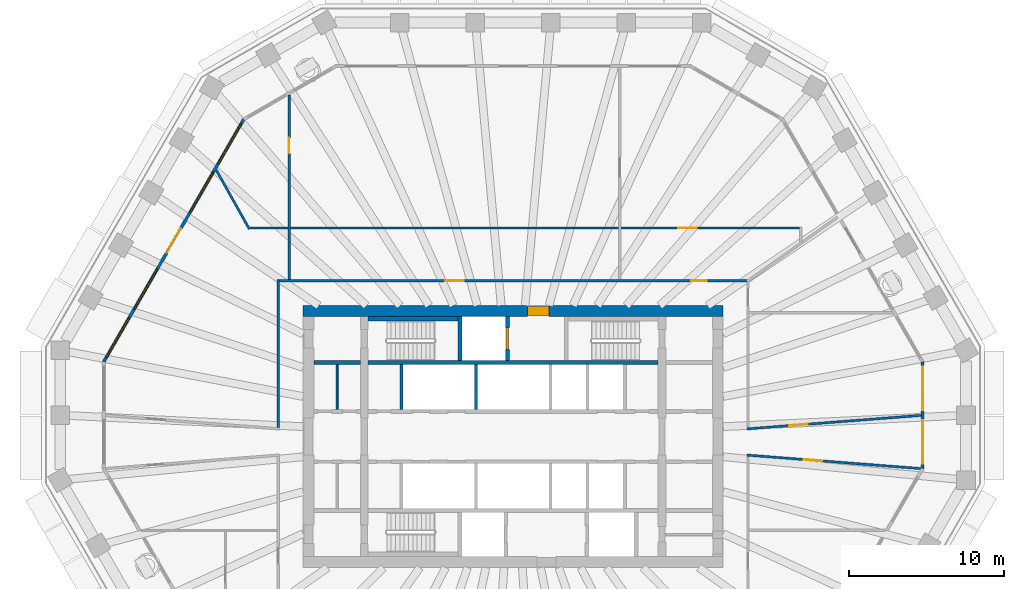
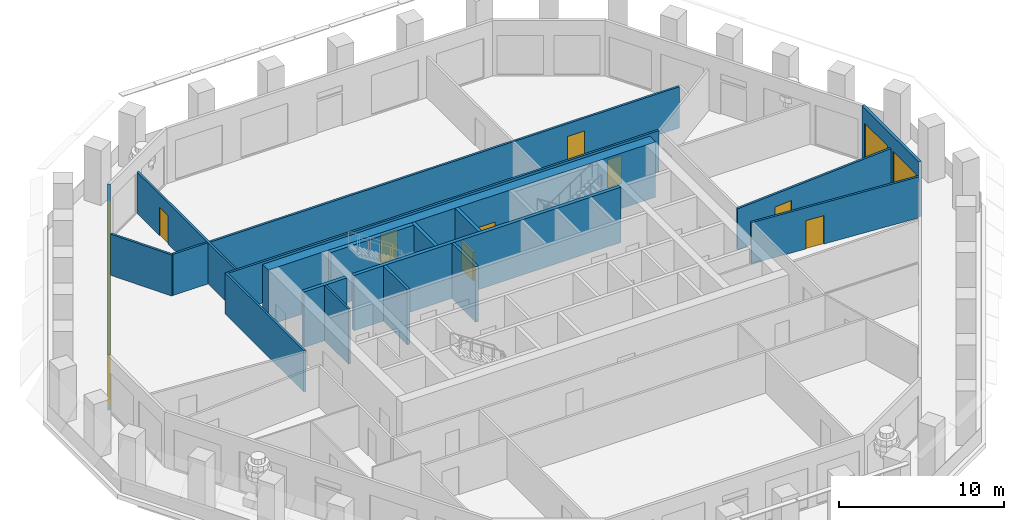
# One storey, part 6 of 12: 18 walls, 9 doors, 7 windows, 16 openings.
"""IFC4 building model written with IfcOpenShell, lengths in metres."""

from ifc_helpers import new_model, si_unit, direction, frame, frame_2d, origin, place, context, subcontext, project, spatial, polyline, rectangle, outline, extrude, material, layer, layer_set, type_object, element, fill, save


model = new_model("IFC4")

# Units and contexts
model_context = context("Model", 3, precision=1e-05, world=origin(), true_north=direction((0.0, 1.0)))
body_context = subcontext(model_context, "Body", "Model", "MODEL_VIEW")
ifc_project = project(units=[si_unit("LENGTHUNIT", "METRE"), si_unit("AREAUNIT", "SQUARE_METRE"), si_unit("VOLUMEUNIT", "CUBIC_METRE"), si_unit("PLANEANGLEUNIT", "RADIAN"), si_unit("MASSUNIT", "GRAM", prefix="KILO")], contexts=[model_context])

# Site, building, storey
site_placement = place(None, origin())
site = spatial("IfcSite", under=ifc_project, at=site_placement, CompositionType="ELEMENT")
building_placement = place(site_placement, origin())
building = spatial("IfcBuilding", under=site, at=building_placement, Name="Frailejon Research Tower", CompositionType="ELEMENT")
storey_placement = place(building_placement, frame((0.0, 0.0, 189.199951171875)))
storey = spatial("IfcBuildingStorey", under=building, at=storey_placement, Name="L41", CompositionType="ELEMENT", Elevation=189.199951171875)

# Wall
ifc_material_1 = material(Name="Plasterboard on steel studs", Category="steel")
ifc_layer_1 = layer(ifc_material_1, 0.125)
ifc_layer_set_1 = layer_set([ifc_layer_1], Name="Core partition 125")
wall_type_1 = type_object("IfcWallType", Name="Core partition 125", PredefinedType="PARTITIONING", material=ifc_layer_set_1)
wall_1_placement = place(storey_placement, frame((-11.35009765625, 1.75, 0.0), z_axis=(0.0, 0.0, 1.0), x_axis=(0.0, 1.0, 0.0)))
element("IfcWall", 1, at=wall_1_placement, inside=storey, type_object=wall_type_1, Name="Core partition", PredefinedType="PARTITIONING", context=body_context, shape_type="SweptSolid", body=[
    extrude(rectangle(XDim=2.89990234375, YDim=0.125, at=frame_2d((1.449951171875, 0.0))), origin(), (0.0, 0.0, 1.0), 4.10009765625),
])

# Wall, opening, door
ifc_material_2 = material(Name="Concrete C60/75", Category="concrete")
ifc_layer_2 = layer(ifc_material_2, 0.699951171875)
ifc_layer_set_2 = layer_set([ifc_layer_2], Name="Core shear wall 700 C60/75")
wall_type_2 = type_object("IfcWallType", Name="Core shear wall 700 C60/75", PredefinedType="SHEAR", material=ifc_layer_set_2)
wall_2_placement = place(storey_placement, frame((-13.550048828125, 8.10009765625, 0.0), z_axis=(0.0, 0.0, 1.0), x_axis=(1.0, 0.0, 0.0)))
wall_2 = element("IfcWall", 2, at=wall_2_placement, inside=storey, type_object=wall_type_2, Name="Core shear wall", PredefinedType="SHEAR", context=body_context, shape_type="SweptSolid", body=[
    extrude(rectangle(XDim=27.10009765625, YDim=0.699951171875, at=frame_2d((13.550048828125, 0.0))), origin(), (0.0, 0.0, 1.0), 4.10009765625),
])
opening_1_placement = place(wall_2_placement, frame((14.47509765625, 0.0, 0.0)))
opening_1 = element("IfcOpeningElement", 3, at=opening_1_placement, cuts=wall_2, Name="Opening D9", PredefinedType="OPENING", context=body_context, shape_type="SweptSolid", body=[
    extrude(rectangle(XDim=1.39990234375, YDim=2.10009765625, at=frame_2d((0.699951171875, 1.050048828125))), frame((0.0, 0.35986328125, 0.0), z_axis=(0.0, -1.0, 0.0), x_axis=(1.0, 0.0, 0.0)), (0.0, 0.0, 1.0), 0.719970703125),
])
ifc_material_3 = material(Name="Steel", Category="steel")
door_type_1 = type_object("IfcDoorType", Name="Goods lobby door", OperationType="DOUBLE_DOOR_SINGLE_SWING", PredefinedType="DOOR", material=ifc_material_3)
door_1_placement = place(opening_1_placement, origin())
door_1 = element("IfcDoor", 4, at=door_1_placement, inside=storey, type_object=door_type_1, Name="Goods lobby door", OperationType="DOUBLE_DOOR_SINGLE_SWING", OverallHeight=2.10009765625, OverallWidth=1.39990234375, PredefinedType="DOOR", context=body_context, shape_type="SweptSolid", body=[
    extrude(rectangle(XDim=1.39990234375, YDim=2.10009765625, at=frame_2d((0.699951171875, 1.050048828125))), frame((0.0, 0.300048828125, 0.0), z_axis=(0.0, -1.0, 0.0), x_axis=(1.0, 0.0, 0.0)), (0.0, 0.0, 1.0), 0.60009765625),
])
fill(opening_1, door_1)

# Wall, openings, doors
ifc_material_4 = material(Name="Gypsum board and masonry partition", Category="masonry")
ifc_layer_3 = layer(ifc_material_4, 0.14990234375)
ifc_layer_set_3 = layer_set([ifc_layer_3], Name="Corridor wall EI 60, gypsum on steel studs 150")
wall_type_3 = type_object("IfcWallType", Name="Corridor wall EI 60, gypsum on steel studs 150", PredefinedType="PARTITIONING", material=ifc_layer_set_3)
wall_3_placement = place(storey_placement, frame((-15.074951171875, 10.050048828125, 0.0), z_axis=(0.0, 0.0, 1.0), x_axis=(1.0, 0.0, 0.0)))
wall_3 = element("IfcWall", 5, at=wall_3_placement, inside=storey, type_object=wall_type_3, Name="T:IW:L41:003", PredefinedType="PARTITIONING", context=body_context, shape_type="SweptSolid", body=[
    extrude(rectangle(XDim=30.14990234375, YDim=0.14990234375, at=frame_2d((15.074951171875, 0.0))), origin(), (0.0, 0.0, 1.0), 3.050048828125),
])
opening_2_placement = place(wall_3_placement, frame((26.572509765625, 0.0, 0.0)))
opening_2 = element("IfcOpeningElement", 6, at=opening_2_placement, cuts=wall_3, Name="Opening D1885", PredefinedType="OPENING", context=body_context, shape_type="SweptSolid", body=[
    extrude(rectangle(XDim=1.0, YDim=2.10009765625, at=frame_2d((0.5, 1.050048828125))), frame((0.0, 0.0849609375, 0.0), z_axis=(0.0, -1.0, 0.0), x_axis=(1.0, 0.0, 0.0)), (0.0, 0.0, 1.0), 0.169921875),
])
opening_3_placement = place(wall_3_placement, frame((10.684326171875, 0.0, 0.0)))
opening_3 = element("IfcOpeningElement", 7, at=opening_3_placement, cuts=wall_3, Name="Opening D1888", PredefinedType="OPENING", context=body_context, shape_type="SweptSolid", body=[
    extrude(rectangle(XDim=1.199951171875, YDim=2.10009765625, at=frame_2d((0.60009765625, 1.050048828125))), frame((0.0, 0.0849609375, 0.0), z_axis=(0.0, -1.0, 0.0), x_axis=(1.0, 0.0, 0.0)), (0.0, 0.0, 1.0), 0.169921875),
])
ifc_material_5 = material(Name="Timber door leaf", Category="wood")
door_type_2 = type_object("IfcDoorType", Name="Door laboratory, timber, vision panel 1000", OperationType="NOTDEFINED", PredefinedType="DOOR", material=ifc_material_5)
door_2_placement = place(opening_2_placement, origin())
door_2 = element("IfcDoor", 8, at=door_2_placement, inside=storey, type_object=door_type_2, Name="D1885", OperationType="SINGLE_SWING_LEFT", OverallHeight=2.10009765625, OverallWidth=1.0, PredefinedType="DOOR", context=body_context, shape_type="SweptSolid", body=[
    extrude(rectangle(XDim=1.0, YDim=2.10009765625, at=frame_2d((0.5, 1.050048828125))), frame((0.0, 0.02490234375, 0.0), z_axis=(0.0, -1.0, 0.0), x_axis=(1.0, 0.0, 0.0)), (0.0, 0.0, 1.0), 0.050048828125),
])
fill(opening_2, door_2)
ifc_material_6 = material(Name="Timber door leaf", Category="wood")
door_type_3 = type_object("IfcDoorType", Name="Door single leaf, timber, steel frame 1200", OperationType="NOTDEFINED", PredefinedType="DOOR", material=ifc_material_6)
door_3_placement = place(opening_3_placement, origin())
door_3 = element("IfcDoor", 9, at=door_3_placement, inside=storey, type_object=door_type_3, Name="D1888", OperationType="DOUBLE_DOOR_SINGLE_SWING", OverallHeight=2.10009765625, OverallWidth=1.199951171875, PredefinedType="DOOR", context=body_context, shape_type="SweptSolid", body=[
    extrude(rectangle(XDim=1.199951171875, YDim=2.10009765625, at=frame_2d((0.60009765625, 1.050048828125))), frame((0.0, 0.02490234375, 0.0), z_axis=(0.0, -1.0, 0.0), x_axis=(1.0, 0.0, 0.0)), (0.0, 0.0, 1.0), 0.050048828125),
])
fill(opening_3, door_3)

# Wall
wall_4_placement = place(storey_placement, frame((-15.14990234375, 0.57568359375, 0.0), z_axis=(0.0, 0.0, 1.0), x_axis=(0.0, 1.0, 0.0)))
element("IfcWall", 10, at=wall_4_placement, inside=storey, type_object=wall_type_3, Name="T:IW:L41:005", PredefinedType="PARTITIONING", context=body_context, shape_type="SweptSolid", body=[
    extrude(rectangle(XDim=9.54931640625, YDim=0.14990234375, at=frame_2d((4.774658203125, 0.0))), origin(), (0.0, 0.0, 1.0), 3.050048828125),
])

# Wall, opening, door
wall_5_placement = place(storey_placement, frame((15.0751953125, 0.494873046875, 0.0), z_axis=(0.0, 0.0, 1.0), x_axis=(0.996999820834, 0.077403858151, 0.0)))
wall_5 = element("IfcWall", 11, at=wall_5_placement, inside=storey, type_object=wall_type_3, Name="T:IW:L41:009", PredefinedType="PARTITIONING", context=body_context, shape_type="SweptSolid", body=[
    extrude(rectangle(XDim=11.26953125, YDim=0.14990234375, at=frame_2d((5.634765625, 0.0))), origin(), (0.0, 0.0, 1.0), 3.050048828125),
])
opening_4_placement = place(wall_5_placement, frame((2.748779296875, 0.0, 0.0)))
opening_4 = element("IfcOpeningElement", 12, at=opening_4_placement, cuts=wall_5, Name="Opening D1883", PredefinedType="OPENING", context=body_context, shape_type="SweptSolid", body=[
    extrude(rectangle(XDim=1.199951171875, YDim=2.10009765625, at=frame_2d((0.60009765625, 1.050048828125))), frame((0.0, 0.0849609375, 0.0), z_axis=(0.0, -1.0, 0.0), x_axis=(1.0, 0.0, 0.0)), (0.0, 0.0, 1.0), 0.169921875),
])
ifc_material_7 = material(Name="Timber door leaf", Category="wood")
door_type_4 = type_object("IfcDoorType", Name="Door laboratory, timber, vision panel 1200", OperationType="NOTDEFINED", PredefinedType="DOOR", material=ifc_material_7)
door_4_placement = place(opening_4_placement, origin())
door_4 = element("IfcDoor", 13, at=door_4_placement, inside=storey, type_object=door_type_4, Name="D1883", OperationType="DOUBLE_DOOR_SINGLE_SWING", OverallHeight=2.10009765625, OverallWidth=1.199951171875, PredefinedType="DOOR", context=body_context, shape_type="SweptSolid", body=[
    extrude(rectangle(XDim=1.199951171875, YDim=2.10009765625, at=frame_2d((0.60009765625, 1.050048828125))), frame((0.0, 0.02490234375, 0.0), z_axis=(0.0, -1.0, 0.0), x_axis=(1.0, 0.0, 0.0)), (0.0, 0.0, 1.0), 0.050048828125),
])
fill(opening_4, door_4)

wall_6_placement = place(storey_placement, frame((15.0751953125, -1.193603515625, 0.0), z_axis=(0.0, 0.0, 1.0), x_axis=(0.997000362213, -0.077396884614, 0.0)))
wall_6 = element("IfcWall", 14, at=wall_6_placement, inside=storey, type_object=wall_type_3, Name="T:IW:L41:010", PredefinedType="PARTITIONING", context=body_context, shape_type="SweptSolid", body=[
    extrude(rectangle(XDim=11.24853515625, YDim=0.14990234375, at=frame_2d((5.624267578125, 0.0))), origin(), (0.0, 0.0, 1.0), 3.050048828125),
])
opening_5_placement = place(wall_6_placement, frame((3.6708984375, 0.0, 0.0)))
opening_5 = element("IfcOpeningElement", 15, at=opening_5_placement, cuts=wall_6, Name="Opening D1902", PredefinedType="OPENING", context=body_context, shape_type="SweptSolid", body=[
    extrude(rectangle(XDim=1.199951171875, YDim=2.10009765625, at=frame_2d((0.60009765625, 1.050048828125))), frame((0.0, 0.0849609375, 0.0), z_axis=(0.0, -1.0, 0.0), x_axis=(1.0, 0.0, 0.0)), (0.0, 0.0, 1.0), 0.169921875),
])
door_5_placement = place(opening_5_placement, origin())
door_5 = element("IfcDoor", 16, at=door_5_placement, inside=storey, type_object=door_type_4, Name="D1902", OperationType="DOUBLE_DOOR_SINGLE_SWING", OverallHeight=2.10009765625, OverallWidth=1.199951171875, PredefinedType="DOOR", context=body_context, shape_type="SweptSolid", body=[
    extrude(rectangle(XDim=1.199951171875, YDim=2.10009765625, at=frame_2d((0.60009765625, 1.050048828125))), frame((0.0, 0.02490234375, 0.0), z_axis=(0.0, -1.0, 0.0), x_axis=(1.0, 0.0, 0.0)), (0.0, 0.0, 1.0), 0.050048828125),
])
fill(opening_5, door_5)

ifc_material_8 = material(Name="Gypsum board and masonry partition", Category="masonry")
ifc_layer_4 = layer(ifc_material_8, 0.14990234375)
ifc_layer_set_4 = layer_set([ifc_layer_4], Name="Laboratory partition, blockwork 150")
wall_type_4 = type_object("IfcWallType", Name="Laboratory partition, blockwork 150", PredefinedType="PARTITIONING", material=ifc_layer_set_4)
wall_7_placement = place(storey_placement, frame((-16.97900390625, 13.449951171875, 0.0), z_axis=(0.0, 0.0, 1.0), x_axis=(1.0, 0.0, 0.0)))
wall_7 = element("IfcWall", 17, at=wall_7_placement, inside=storey, type_object=wall_type_4, Name="T:IW:L41:013", PredefinedType="PARTITIONING", context=body_context, shape_type="SweptSolid", body=[
    extrude(rectangle(XDim=35.4541015625, YDim=0.14990234375, at=frame_2d((17.72705078125, 0.0))), origin(), (0.0, 0.0, 1.0), 3.050048828125),
])
opening_6_placement = place(wall_7_placement, frame((27.623046875, 0.0, 0.0)))
opening_6 = element("IfcOpeningElement", 18, at=opening_6_placement, cuts=wall_7, Name="Opening D1886", PredefinedType="OPENING", context=body_context, shape_type="SweptSolid", body=[
    extrude(rectangle(XDim=1.199951171875, YDim=2.10009765625, at=frame_2d((0.60009765625, 1.050048828125))), frame((0.0, 0.0849609375, 0.0), z_axis=(0.0, -1.0, 0.0), x_axis=(1.0, 0.0, 0.0)), (0.0, 0.0, 1.0), 0.169921875),
])
door_6_placement = place(opening_6_placement, origin())
door_6 = element("IfcDoor", 19, at=door_6_placement, inside=storey, type_object=door_type_4, Name="D1886", OperationType="DOUBLE_DOOR_SINGLE_SWING", OverallHeight=2.10009765625, OverallWidth=1.199951171875, PredefinedType="DOOR", context=body_context, shape_type="SweptSolid", body=[
    extrude(rectangle(XDim=1.199951171875, YDim=2.10009765625, at=frame_2d((0.60009765625, 1.050048828125))), frame((0.0, 0.02490234375, 0.0), z_axis=(0.0, -1.0, 0.0), x_axis=(1.0, 0.0, 0.0)), (0.0, 0.0, 1.0), 0.050048828125),
])
fill(opening_6, door_6)

wall_8_placement = place(storey_placement, frame((-14.453125, 10.125, 0.0), z_axis=(0.0, 0.0, 1.0), x_axis=(0.0, 1.0, 0.0)))
wall_8 = element("IfcWall", 20, at=wall_8_placement, inside=storey, type_object=wall_type_4, Name="T:IW:L41:016", PredefinedType="PARTITIONING", context=body_context, shape_type="SweptSolid", body=[
    extrude(rectangle(XDim=11.912109375, YDim=0.14990234375, at=frame_2d((5.9560546875, 0.0))), origin(), (0.0, 0.0, 1.0), 3.050048828125),
])
opening_7_placement = place(wall_8_placement, frame((8.151611328125, 0.0, 0.0)))
opening_7 = element("IfcOpeningElement", 21, at=opening_7_placement, cuts=wall_8, Name="Opening D1889", PredefinedType="OPENING", context=body_context, shape_type="SweptSolid", body=[
    extrude(rectangle(XDim=1.0, YDim=2.10009765625, at=frame_2d((0.5, 1.050048828125))), frame((0.0, 0.0849609375, 0.0), z_axis=(0.0, -1.0, 0.0), x_axis=(1.0, 0.0, 0.0)), (0.0, 0.0, 1.0), 0.169921875),
])
door_7_placement = place(opening_7_placement, origin())
door_7 = element("IfcDoor", 22, at=door_7_placement, inside=storey, type_object=door_type_2, Name="D1889", OperationType="SINGLE_SWING_LEFT", OverallHeight=2.10009765625, OverallWidth=1.0, PredefinedType="DOOR", context=body_context, shape_type="SweptSolid", body=[
    extrude(rectangle(XDim=1.0, YDim=2.10009765625, at=frame_2d((0.5, 1.050048828125))), frame((0.0, 0.02490234375, 0.0), z_axis=(0.0, -1.0, 0.0), x_axis=(1.0, 0.0, 0.0)), (0.0, 0.0, 1.0), 0.050048828125),
])
fill(opening_7, door_7)

# Walls
wall_9_placement = place(storey_placement, frame((-19.15087890625, 17.195068359375, 0.0), z_axis=(0.0, 0.0, 1.0), x_axis=(0.48858294178, -0.872517454841, 0.0)))
element("IfcWall", 23, at=wall_9_placement, inside=storey, type_object=wall_type_4, Name="T:IW:L41:017", PredefinedType="PARTITIONING", context=body_context, shape_type="SweptSolid", body=[
    extrude(rectangle(XDim=4.3671875, YDim=0.14990234375, at=frame_2d((2.18359375, 0.0))), origin(), (0.0, 0.0, 1.0), 3.050048828125),
])
ifc_material_9 = material(Name="Concrete C60/75", Category="concrete")
ifc_layer_5 = layer(ifc_material_9, 0.199951171875)
ifc_layer_set_5 = layer_set([ifc_layer_5], Name="Shaft wall 200 C60/75")
wall_type_5 = type_object("IfcWallType", Name="Shaft wall 200 C60/75", PredefinedType="SOLIDWALL", material=ifc_layer_set_5)
for number, where, z_axis, x_axis, name in (
    (24, (-7.199951171875, 1.75, 0.0), (0.0, 0.0, 1.0), (0.0, 1.0, 0.0), "Shaft wall"),
    (25, (-2.39990234375, 1.75, 0.0), (0.0, 0.0, 1.0), (0.0, 1.0, 0.0), "Shaft wall"),
):
    element("IfcWall", number, at=place(storey_placement, frame(where, z_axis=z_axis, x_axis=x_axis)), inside=storey, type_object=wall_type_5, Name=name, PredefinedType="SOLIDWALL", context=body_context, shape_type="SweptSolid", body=[
        extrude(rectangle(XDim=2.89990234375, YDim=0.199951171875, at=frame_2d((1.449951171875, 0.0))), origin(), (0.0, 0.0, 1.0), 4.10009765625),
    ])
ifc_material_10 = material(Name="Concrete C60/75", Category="concrete")
ifc_layer_6 = layer(ifc_material_10, 0.25)
ifc_layer_set_6 = layer_set([ifc_layer_6], Name="Shaft wall 250 C60/75")
wall_type_6 = type_object("IfcWallType", Name="Shaft wall 250 C60/75", PredefinedType="SOLIDWALL", material=ifc_layer_set_6)
wall_10_placement = place(storey_placement, frame((-12.85009765625, 4.77490234375, 0.0), z_axis=(0.0, 0.0, 1.0), x_axis=(1.0, 0.0, 0.0)))
element("IfcWall", 26, at=wall_10_placement, inside=storey, type_object=wall_type_6, Name="Shaft wall", PredefinedType="SOLIDWALL", context=body_context, shape_type="SweptSolid", body=[
    extrude(rectangle(XDim=3.0, YDim=0.25, at=frame_2d((1.5, 0.0))), origin(), (0.0, 0.0, 1.0), 4.10009765625),
])
wall_11_placement = place(storey_placement, frame((-9.35009765625, 4.77490234375, 0.0), z_axis=(0.0, 0.0, 1.0), x_axis=(1.0, 0.0, 0.0)))
element("IfcWall", 27, at=wall_11_placement, inside=storey, type_object=wall_type_6, Name="Shaft wall", PredefinedType="SOLIDWALL", context=body_context, shape_type="SweptSolid", body=[
    extrude(rectangle(XDim=18.7001953125, YDim=0.25, at=frame_2d((9.35009765625, 0.0))), origin(), (0.0, 0.0, 1.0), 4.10009765625),
])
wall_12_placement = place(storey_placement, frame((-3.425048828125, 4.89990234375, 0.0), z_axis=(0.0, 0.0, 1.0), x_axis=(0.0, 1.0, 0.0)))
element("IfcWall", 28, at=wall_12_placement, inside=storey, type_object=wall_type_6, Name="Shaft wall", PredefinedType="SOLIDWALL", context=body_context, shape_type="SweptSolid", body=[
    extrude(rectangle(XDim=2.85009765625, YDim=0.25, at=frame_2d((1.425048828125, 0.0))), origin(), (0.0, 0.0, 1.0), 4.10009765625),
])

# Wall, opening, door
wall_13_placement = place(storey_placement, frame((-0.375, 4.89990234375, 0.0), z_axis=(0.0, 0.0, 1.0), x_axis=(0.0, 1.0, 0.0)))
wall_13 = element("IfcWall", 29, at=wall_13_placement, inside=storey, type_object=wall_type_6, Name="Shaft wall", PredefinedType="SOLIDWALL", context=body_context, shape_type="SweptSolid", body=[
    extrude(rectangle(XDim=2.85009765625, YDim=0.25, at=frame_2d((1.425048828125, 0.0))), origin(), (0.0, 0.0, 1.0), 4.10009765625),
])
opening_8_placement = place(wall_13_placement, frame((0.72509765625, 0.0, 0.0)))
opening_8 = element("IfcOpeningElement", 30, at=opening_8_placement, cuts=wall_13, Name="Opening LD2", PredefinedType="OPENING", context=body_context, shape_type="SweptSolid", body=[
    extrude(rectangle(XDim=1.39990234375, YDim=2.10009765625, at=frame_2d((0.699951171875, 1.050048828125))), frame((0.0, 0.135009765625, 0.0), z_axis=(0.0, -1.0, 0.0), x_axis=(1.0, 0.0, 0.0)), (0.0, 0.0, 1.0), 0.27001953125),
])
ifc_material_11 = material(Name="Stainless steel", Category="steel")
door_type_5 = type_object("IfcDoorType", Name="Goods landing door", OperationType="DOUBLE_DOOR_SLIDING", PredefinedType="DOOR", material=ifc_material_11)
door_8_placement = place(opening_8_placement, origin())
door_8 = element("IfcDoor", 31, at=door_8_placement, inside=storey, type_object=door_type_5, Name="Lift landing door", OperationType="DOUBLE_DOOR_SLIDING", OverallHeight=2.10009765625, OverallWidth=1.39990234375, PredefinedType="DOOR", context=body_context, shape_type="SweptSolid", body=[
    extrude(rectangle(XDim=1.39990234375, YDim=2.10009765625, at=frame_2d((0.699951171875, 1.050048828125))), frame((0.0, 0.074951171875, 0.0), z_axis=(0.0, -1.0, 0.0), x_axis=(1.0, 0.0, 0.0)), (0.0, 0.0, 1.0), 0.14990234375),
])
fill(opening_8, door_8)

# Wall
ifc_material_12 = material(Name="Concrete C60/75", Category="concrete")
ifc_layer_7 = layer(ifc_material_12, 0.300048828125)
ifc_layer_set_7 = layer_set([ifc_layer_7], Name="Shaft wall 300 C60/75")
wall_type_7 = type_object("IfcWallType", Name="Shaft wall 300 C60/75", PredefinedType="SOLIDWALL", material=ifc_layer_set_7)
wall_14_placement = place(storey_placement, frame((-9.35009765625, 7.60009765625, 0.0), z_axis=(0.0, 0.0, 1.0), x_axis=(1.0, 0.0, 0.0)))
element("IfcWall", 32, at=wall_14_placement, inside=storey, type_object=wall_type_7, Name="Shaft wall", PredefinedType="SOLIDWALL", context=body_context, shape_type="SweptSolid", body=[
    extrude(rectangle(XDim=5.800048828125, YDim=0.300048828125, at=frame_2d((2.89990234375, 0.0))), origin(), (0.0, 0.0, 1.0), 4.10009765625),
])

# Wall, openings, windows
ifc_material_13 = material(Name="Concrete C40/50 precast window wall panel", Category="concrete")
ifc_layer_8 = layer(ifc_material_13, 0.199951171875)
ifc_layer_set_8 = layer_set([ifc_layer_8], Name="Window wall 200")
wall_type_8 = type_object("IfcWallType", Name="Window wall 200", PredefinedType="SOLIDWALL", material=ifc_layer_set_8)
wall_15_placement = place(storey_placement, frame((26.4111328125, -2.0546875, 0.0), z_axis=(0.0, 0.0, 1.0), x_axis=(0.0, 1.0, 0.0)))
wall_15 = element("IfcWall", 33, at=wall_15_placement, inside=storey, type_object=wall_type_8, Name="Exterior wall L41", PredefinedType="SOLIDWALL", context=body_context, shape_type="SweptSolid", body=[
    extrude(outline(polyline([(-0.02685546875, -0.10009765625), (1.1279296875, -0.10009765625), (2.28271484375, -0.10009765625), (3.4375, -0.10009765625), (4.592041015625, -0.10009765625), (5.746826171875, -0.10009765625), (6.901611328125, -0.10009765625), (6.847900390625, 0.10009765625), (5.7109375, 0.10009765625), (4.57421875, 0.10009765625), (3.4375, 0.10009765625), (2.300537109375, 0.10009765625), (1.16357421875, 0.10009765625), (0.02685546875, 0.10009765625), (-0.02685546875, -0.10009765625)])), origin(), (0.0, 0.0, 1.0), 4.10009765625),
])
opening_9_placement = place(wall_15_placement, frame((0.318603515625, 0.0, 0.10009765625)))
opening_9 = element("IfcOpeningElement", 34, at=opening_9_placement, cuts=wall_15, Name="Opening W3", PredefinedType="OPENING", context=body_context, shape_type="SweptSolid", body=[
    extrude(rectangle(XDim=2.800048828125, YDim=2.89990234375, at=frame_2d((1.39990234375, 1.449951171875))), frame((0.0, 0.10986328125, 0.0), z_axis=(0.0, -1.0, 0.0), x_axis=(1.0, 0.0, 0.0)), (0.0, 0.0, 1.0), 0.219970703125),
])
opening_10_placement = place(wall_15_placement, frame((3.756103515625, 0.0, 0.10009765625)))
opening_10 = element("IfcOpeningElement", 35, at=opening_10_placement, cuts=wall_15, Name="Opening W3", PredefinedType="OPENING", context=body_context, shape_type="SweptSolid", body=[
    extrude(rectangle(XDim=2.800048828125, YDim=2.89990234375, at=frame_2d((1.39990234375, 1.449951171875))), frame((0.0, 0.10986328125, 0.0), z_axis=(0.0, -1.0, 0.0), x_axis=(1.0, 0.0, 0.0)), (0.0, 0.0, 1.0), 0.219970703125),
])
ifc_material_14 = material(Name="Aluminium framed double glazing", Category="aluminium")
window_type_1 = type_object("IfcWindowType", Name="Window 2800x2900", PartitioningType="SINGLE_PANEL", PredefinedType="WINDOW", material=ifc_material_14)
window_1_placement = place(opening_9_placement, origin())
window_1 = element("IfcWindow", 36, at=window_1_placement, inside=storey, type_object=window_type_1, Name="Window L41", OverallHeight=2.89990234375, OverallWidth=2.800048828125, PartitioningType="SINGLE_PANEL", PredefinedType="WINDOW", context=body_context, shape_type="SweptSolid", body=[
    extrude(rectangle(XDim=2.800048828125, YDim=2.89990234375, at=frame_2d((1.39990234375, 1.449951171875))), frame((0.0, 0.030029296875, 0.0), z_axis=(0.0, -1.0, 0.0), x_axis=(1.0, 0.0, 0.0)), (0.0, 0.0, 1.0), 0.06005859375),
])
fill(opening_9, window_1)
window_2_placement = place(opening_10_placement, origin())
window_2 = element("IfcWindow", 37, at=window_2_placement, inside=storey, type_object=window_type_1, Name="Window L41", OverallHeight=2.89990234375, OverallWidth=2.800048828125, PartitioningType="SINGLE_PANEL", PredefinedType="WINDOW", context=body_context, shape_type="SweptSolid", body=[
    extrude(rectangle(XDim=2.800048828125, YDim=2.89990234375, at=frame_2d((1.39990234375, 1.449951171875))), frame((0.0, 0.030029296875, 0.0), z_axis=(0.0, -1.0, 0.0), x_axis=(1.0, 0.0, 0.0)), (0.0, 0.0, 1.0), 0.06005859375),
])
fill(opening_10, window_2)

# Wall, openings, door, windows
wall_16_placement = place(storey_placement, frame((-17.3798828125, 20.462646484375, 0.0), z_axis=(0.0, 0.0, 1.0), x_axis=(-0.500000137386, -0.866025324465, 0.0)))
wall_16 = element("IfcWall", 38, at=wall_16_placement, inside=storey, type_object=wall_type_8, Name="Exterior wall L41", PredefinedType="SOLIDWALL", context=body_context, shape_type="SweptSolid", body=[
    extrude(outline(polyline([(-0.02685546875, -0.10009765625), (0.9794921875, -0.10009765625), (1.986083984375, -0.10009765625), (2.992431640625, -0.10009765625), (3.9990234375, -0.10009765625), (5.00537109375, -0.10009765625), (6.011962890625, -0.10009765625), (7.018310546875, -0.10009765625), (8.02490234375, -0.10009765625), (9.03125, -0.10009765625), (10.03759765625, -0.10009765625), (11.044189453125, -0.10009765625), (12.050537109375, -0.10009765625), (13.05712890625, -0.10009765625), (14.0634765625, -0.10009765625), (15.070068359375, -0.10009765625), (16.076416015625, -0.10009765625), (17.0830078125, -0.10009765625), (18.08935546875, -0.10009765625), (18.03564453125, 0.10009765625), (17.03515625, 0.10009765625), (16.03466796875, 0.10009765625), (15.0341796875, 0.10009765625), (14.03369140625, 0.10009765625), (13.033203125, 0.10009765625), (12.03271484375, 0.10009765625), (11.0322265625, 0.10009765625), (10.03173828125, 0.10009765625), (9.03125, 0.10009765625), (8.03076171875, 0.10009765625), (7.0302734375, 0.10009765625), (6.02978515625, 0.10009765625), (5.029296875, 0.10009765625), (4.02880859375, 0.10009765625), (3.0283203125, 0.10009765625), (2.02783203125, 0.10009765625), (1.02734375, 0.10009765625), (0.02685546875, 0.10009765625), (-0.02685546875, -0.10009765625)])), origin(), (0.0, 0.0, 1.0), 4.10009765625),
])
opening_11_placement = place(wall_16_placement, frame((0.306396484375, 0.0, 0.10009765625)))
opening_11 = element("IfcOpeningElement", 39, at=opening_11_placement, cuts=wall_16, Name="Opening W4", PredefinedType="OPENING", context=body_context, shape_type="SweptSolid", body=[
    extrude(rectangle(XDim=3.0, YDim=2.89990234375, at=frame_2d((1.5, 1.449951171875))), frame((0.0, 0.10986328125, 0.0), z_axis=(0.0, -1.0, 0.0), x_axis=(1.0, 0.0, 0.0)), (0.0, 0.0, 1.0), 0.219970703125),
])
opening_12_placement = place(wall_16_placement, frame((3.918701171875, 0.0, 0.10009765625)))
opening_12 = element("IfcOpeningElement", 40, at=opening_12_placement, cuts=wall_16, Name="Opening W4", PredefinedType="OPENING", context=body_context, shape_type="SweptSolid", body=[
    extrude(rectangle(XDim=3.0, YDim=2.89990234375, at=frame_2d((1.5, 1.449951171875))), frame((0.0, 0.10986328125, 0.0), z_axis=(0.0, -1.0, 0.0), x_axis=(1.0, 0.0, 0.0)), (0.0, 0.0, 1.0), 0.219970703125),
])
opening_13_placement = place(wall_16_placement, frame((8.13134765625, 0.0, 0.0)))
opening_13 = element("IfcOpeningElement", 41, at=opening_13_placement, cuts=wall_16, Name="Opening LG41-3", PredefinedType="OPENING", context=body_context, shape_type="SweptSolid", body=[
    extrude(rectangle(XDim=1.800048828125, YDim=2.39990234375, at=frame_2d((0.89990234375, 1.199951171875))), frame((0.0, 0.10986328125, 0.0), z_axis=(0.0, -1.0, 0.0), x_axis=(1.0, 0.0, 0.0)), (0.0, 0.0, 1.0), 0.219970703125),
])
opening_14_placement = place(wall_16_placement, frame((8.13134765625, 0.0, 2.550048828125)))
opening_14 = element("IfcOpeningElement", 42, at=opening_14_placement, cuts=wall_16, Name="Opening W1", PredefinedType="OPENING", context=body_context, shape_type="SweptSolid", body=[
    extrude(rectangle(XDim=1.800048828125, YDim=0.449951171875, at=frame_2d((0.89990234375, 0.22509765625))), frame((0.0, 0.10986328125, 0.0), z_axis=(0.0, -1.0, 0.0), x_axis=(1.0, 0.0, 0.0)), (0.0, 0.0, 1.0), 0.219970703125),
])
opening_15_placement = place(wall_16_placement, frame((11.143798828125, 0.0, 0.10009765625)))
opening_15 = element("IfcOpeningElement", 43, at=opening_15_placement, cuts=wall_16, Name="Opening W4", PredefinedType="OPENING", context=body_context, shape_type="SweptSolid", body=[
    extrude(rectangle(XDim=3.0, YDim=2.89990234375, at=frame_2d((1.5, 1.449951171875))), frame((0.0, 0.10986328125, 0.0), z_axis=(0.0, -1.0, 0.0), x_axis=(1.0, 0.0, 0.0)), (0.0, 0.0, 1.0), 0.219970703125),
])
opening_16_placement = place(wall_16_placement, frame((14.75634765625, 0.0, 0.10009765625)))
opening_16 = element("IfcOpeningElement", 44, at=opening_16_placement, cuts=wall_16, Name="Opening W4", PredefinedType="OPENING", context=body_context, shape_type="SweptSolid", body=[
    extrude(rectangle(XDim=3.0, YDim=2.89990234375, at=frame_2d((1.5, 1.449951171875))), frame((0.0, 0.10986328125, 0.0), z_axis=(0.0, -1.0, 0.0), x_axis=(1.0, 0.0, 0.0)), (0.0, 0.0, 1.0), 0.219970703125),
])
ifc_material_15 = material(Name="Aluminium framed glazed door leaf", Category="aluminium")
door_type_6 = type_object("IfcDoorType", Name="Loggia door 1800x2400", OperationType="DOUBLE_DOOR_SINGLE_SWING", PredefinedType="DOOR", material=ifc_material_15)
door_9_placement = place(opening_13_placement, origin())
door_9 = element("IfcDoor", 45, at=door_9_placement, inside=storey, type_object=door_type_6, Name="Door LG41-3", OperationType="DOUBLE_DOOR_SINGLE_SWING", OverallHeight=2.39990234375, OverallWidth=1.800048828125, PredefinedType="DOOR", context=body_context, shape_type="SweptSolid", body=[
    extrude(rectangle(XDim=1.800048828125, YDim=2.39990234375, at=frame_2d((0.89990234375, 1.199951171875))), frame((0.0, 0.02490234375, 0.0), z_axis=(0.0, -1.0, 0.0), x_axis=(1.0, 0.0, 0.0)), (0.0, 0.0, 1.0), 0.050048828125),
])
fill(opening_13, door_9)
ifc_material_16 = material(Name="Aluminium framed double glazing", Category="aluminium")
window_type_2 = type_object("IfcWindowType", Name="Window 1800x450", PartitioningType="SINGLE_PANEL", PredefinedType="WINDOW", material=ifc_material_16)
window_3_placement = place(opening_14_placement, origin())
window_3 = element("IfcWindow", 46, at=window_3_placement, inside=storey, type_object=window_type_2, Name="Window L41", OverallHeight=0.449951171875, OverallWidth=1.800048828125, PartitioningType="SINGLE_PANEL", PredefinedType="WINDOW", context=body_context, shape_type="SweptSolid", body=[
    extrude(rectangle(XDim=1.800048828125, YDim=0.449951171875, at=frame_2d((0.89990234375, 0.22509765625))), frame((0.0, 0.030029296875, 0.0), z_axis=(0.0, -1.0, 0.0), x_axis=(1.0, 0.0, 0.0)), (0.0, 0.0, 1.0), 0.06005859375),
])
fill(opening_14, window_3)
ifc_material_17 = material(Name="Aluminium framed double glazing", Category="aluminium")
window_type_3 = type_object("IfcWindowType", Name="Window 3000x2900", PartitioningType="SINGLE_PANEL", PredefinedType="WINDOW", material=ifc_material_17)
window_4_placement = place(opening_11_placement, origin())
window_4 = element("IfcWindow", 47, at=window_4_placement, inside=storey, type_object=window_type_3, Name="Window L41", OverallHeight=2.89990234375, OverallWidth=3.0, PartitioningType="SINGLE_PANEL", PredefinedType="WINDOW", context=body_context, shape_type="SweptSolid", body=[
    extrude(rectangle(XDim=3.0, YDim=2.89990234375, at=frame_2d((1.5, 1.449951171875))), frame((0.0, 0.030029296875, 0.0), z_axis=(0.0, -1.0, 0.0), x_axis=(1.0, 0.0, 0.0)), (0.0, 0.0, 1.0), 0.06005859375),
])
fill(opening_11, window_4)
window_5_placement = place(opening_12_placement, origin())
window_5 = element("IfcWindow", 48, at=window_5_placement, inside=storey, type_object=window_type_3, Name="Window L41", OverallHeight=2.89990234375, OverallWidth=3.0, PartitioningType="SINGLE_PANEL", PredefinedType="WINDOW", context=body_context, shape_type="SweptSolid", body=[
    extrude(rectangle(XDim=3.0, YDim=2.89990234375, at=frame_2d((1.5, 1.449951171875))), frame((0.0, 0.030029296875, 0.0), z_axis=(0.0, -1.0, 0.0), x_axis=(1.0, 0.0, 0.0)), (0.0, 0.0, 1.0), 0.06005859375),
])
fill(opening_12, window_5)
window_6_placement = place(opening_15_placement, origin())
window_6 = element("IfcWindow", 49, at=window_6_placement, inside=storey, type_object=window_type_3, Name="Window L41", OverallHeight=2.89990234375, OverallWidth=3.0, PartitioningType="SINGLE_PANEL", PredefinedType="WINDOW", context=body_context, shape_type="SweptSolid", body=[
    extrude(rectangle(XDim=3.0, YDim=2.89990234375, at=frame_2d((1.5, 1.449951171875))), frame((0.0, 0.030029296875, 0.0), z_axis=(0.0, -1.0, 0.0), x_axis=(1.0, 0.0, 0.0)), (0.0, 0.0, 1.0), 0.06005859375),
])
fill(opening_15, window_6)
window_7_placement = place(opening_16_placement, origin())
window_7 = element("IfcWindow", 50, at=window_7_placement, inside=storey, type_object=window_type_3, Name="Window L41", OverallHeight=2.89990234375, OverallWidth=3.0, PartitioningType="SINGLE_PANEL", PredefinedType="WINDOW", context=body_context, shape_type="SweptSolid", body=[
    extrude(rectangle(XDim=3.0, YDim=2.89990234375, at=frame_2d((1.5, 1.449951171875))), frame((0.0, 0.030029296875, 0.0), z_axis=(0.0, -1.0, 0.0), x_axis=(1.0, 0.0, 0.0)), (0.0, 0.0, 1.0), 0.06005859375),
])
fill(opening_16, window_7)

save(model, "model.ifc")
